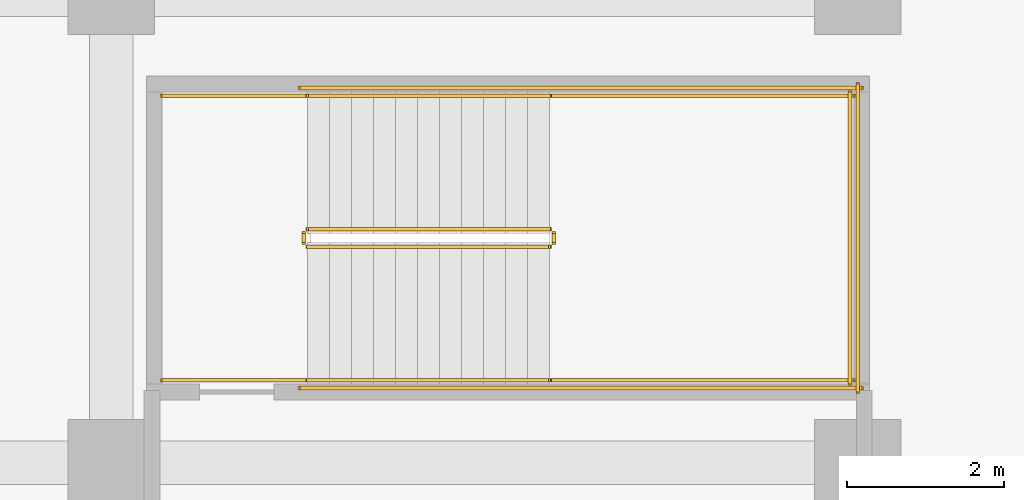
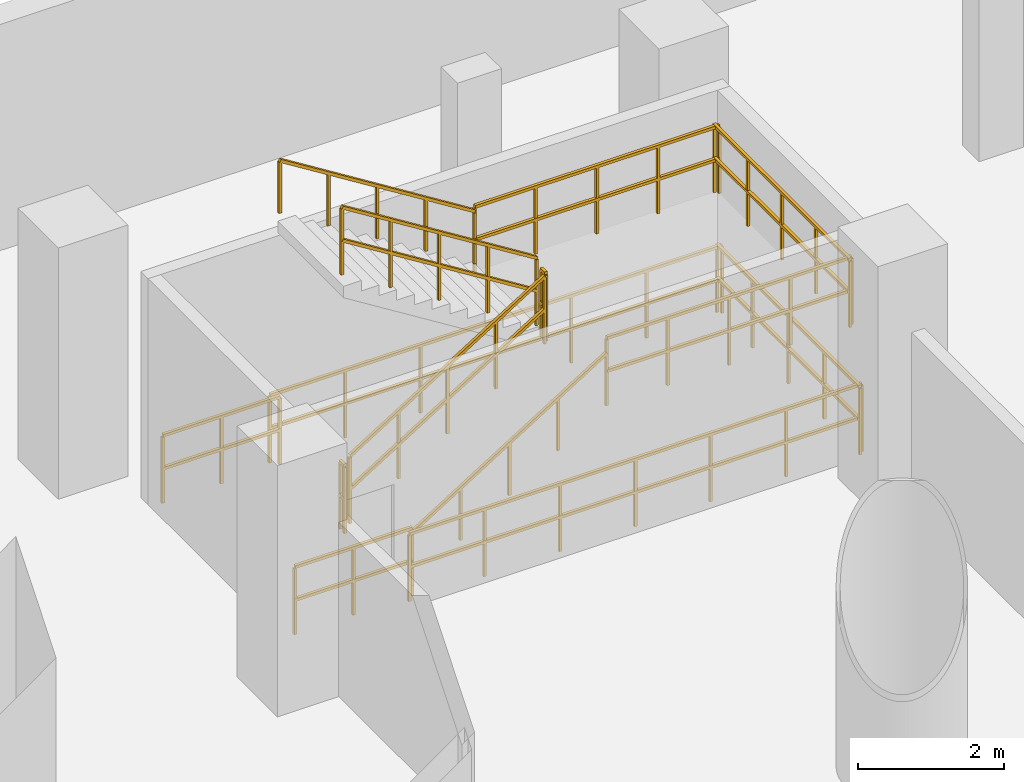
# One storey, part 10 of 11: 14 railings.
"""IFC4 building model written with IfcOpenShell, lengths in metres."""

from ifc_helpers import new_model, si_unit, direction, frame, origin, origin_2d, place, context, subcontext, project, spatial, rectangle, extrude, material, type_object, element, save


model = new_model("IFC4")

# Units and contexts
model_context = context("Model", 3, precision=1e-05, world=origin(), true_north=direction((-0.2419218956, 0.970295726276)))
body_context = subcontext(model_context, "Body", "Model", "MODEL_VIEW")
ifc_project = project(units=[si_unit("LENGTHUNIT", "METRE"), si_unit("AREAUNIT", "SQUARE_METRE"), si_unit("VOLUMEUNIT", "CUBIC_METRE"), si_unit("PLANEANGLEUNIT", "RADIAN"), si_unit("MASSUNIT", "GRAM", prefix="KILO")], contexts=[model_context])

# Site, building, storey
site_placement = place(None, origin())
site = spatial("IfcSite", under=ifc_project, at=site_placement, CompositionType="ELEMENT")
building_placement = place(site_placement, origin())
building = spatial("IfcBuilding", under=site, at=building_placement, Name="Cobrevalo Terracotta Tower", CompositionType="ELEMENT")
storey_placement = place(building_placement, frame((0.0, 0.0, -4.199951171875)))
storey = spatial("IfcBuildingStorey", under=building, at=storey_placement, Name="B01", CompositionType="ELEMENT", Elevation=-4.199951171875)

# Railings
ifc_material_1 = material(Name="Brushed stainless steel", Category="steel")
railing_type_1 = type_object("IfcRailingType", Name="Stainless Steel Stair Handrail 900", PredefinedType="HANDRAIL", material=ifc_material_1)
railing_1_placement = place(storey_placement, frame((11.5, 45.85009765625, 0.175048828125)))
element("IfcRailing", 1, at=railing_1_placement, inside=storey, type_object=railing_type_1, Name="B01 ST-P1 stair handrail 1", PredefinedType="HANDRAIL", context=body_context, shape_type="SweptSolid", body=[
    extrude(rectangle(XDim=0.048095703125, YDim=0.048095703125, at=origin_2d()), frame((0.0, 0.0, 0.8759765625), z_axis=(0.848028513186, 0.0, 0.529950602248), x_axis=(0.0, 1.0, 0.0)), (0.0, 0.0, 1.0), 3.632080078125),
    extrude(rectangle(XDim=0.0419921875, YDim=0.0419921875, at=origin_2d()), origin(), (0.0, 0.0, 1.0), 0.851806640625),
    extrude(rectangle(XDim=0.0419921875, YDim=0.0419921875, at=origin_2d()), frame((0.77001953125, 0.0, 0.481201171875)), (0.0, 0.0, 1.0), 0.851806640625),
    extrude(rectangle(XDim=0.0419921875, YDim=0.0419921875, at=origin_2d()), frame((1.5400390625, 0.0, 0.96240234375)), (0.0, 0.0, 1.0), 0.851806640625),
    extrude(rectangle(XDim=0.0419921875, YDim=0.0419921875, at=origin_2d()), frame((2.31005859375, 0.0, 1.443603515625)), (0.0, 0.0, 1.0), 0.851806640625),
    extrude(rectangle(XDim=0.0419921875, YDim=0.0419921875, at=origin_2d()), frame((3.080078125, 0.0, 1.9248046875)), (0.0, 0.0, 1.0), 0.851806640625),
])
railing_2_placement = place(storey_placement, frame((14.580078125, 49.469970703125, 2.27490234375)))
element("IfcRailing", 2, at=railing_2_placement, inside=storey, type_object=railing_type_1, Name="B01 ST-P1 stair handrail 2", PredefinedType="HANDRAIL", context=body_context, shape_type="SweptSolid", body=[
    extrude(rectangle(XDim=0.048095703125, YDim=0.048095703125, at=origin_2d()), frame((0.0, 0.0, 0.8759765625), z_axis=(-0.847998304005, 0.0, 0.529998940003), x_axis=(0.0, -1.0, 0.0)), (0.0, 0.0, 1.0), 3.632080078125),
    extrude(rectangle(XDim=0.0419921875, YDim=0.0419921875, at=origin_2d()), origin(), (0.0, 0.0, 1.0), 0.851806640625),
    extrude(rectangle(XDim=0.0419921875, YDim=0.0419921875, at=origin_2d()), frame((-0.77001953125, 0.0, 0.481201171875)), (0.0, 0.0, 1.0), 0.851806640625),
    extrude(rectangle(XDim=0.0419921875, YDim=0.0419921875, at=origin_2d()), frame((-1.5400390625, 0.0, 0.96240234375)), (0.0, 0.0, 1.0), 0.851806640625),
    extrude(rectangle(XDim=0.0419921875, YDim=0.0419921875, at=origin_2d()), frame((-2.31005859375, 0.0, 1.44384765625)), (0.0, 0.0, 1.0), 0.851806640625),
    extrude(rectangle(XDim=0.0419921875, YDim=0.0419921875, at=origin_2d()), frame((-3.080078125, 0.0, 1.925048828125)), (0.0, 0.0, 1.0), 0.851806640625),
])
ifc_material_2 = material(Name="Painted galvanized steel", Category="steel")
railing_type_2 = type_object("IfcRailingType", Name="Stair Well Guard Balustrade 1150", PredefinedType="GUARDRAIL", material=ifc_material_2)
railing_3_placement = place(storey_placement, frame((11.5, 47.550048828125, 0.175048828125)))
element("IfcRailing", 3, at=railing_3_placement, inside=storey, type_object=railing_type_2, Name="B01 ST-P1 stair guard 1", PredefinedType="GUARDRAIL", context=body_context, shape_type="SweptSolid", body=[
    extrude(rectangle(XDim=0.048095703125, YDim=0.048095703125, at=origin_2d()), frame((0.0, 0.0, 1.1259765625), z_axis=(0.848028513186, 0.0, 0.529950602248), x_axis=(0.0, 1.0, 0.0)), (0.0, 0.0, 1.0), 3.632080078125),
    extrude(rectangle(XDim=0.048095703125, YDim=0.048095703125, at=origin_2d()), frame((0.0, 0.0, 0.574951171875), z_axis=(0.848028513186, 0.0, 0.529950602248), x_axis=(0.0, 1.0, 0.0)), (0.0, 0.0, 1.0), 3.632080078125),
    extrude(rectangle(XDim=0.0419921875, YDim=0.0419921875, at=origin_2d()), origin(), (0.0, 0.0, 1.0), 1.101806640625),
    extrude(rectangle(XDim=0.0419921875, YDim=0.0419921875, at=origin_2d()), frame((0.77001953125, 0.0, 0.481201171875)), (0.0, 0.0, 1.0), 1.101806640625),
    extrude(rectangle(XDim=0.0419921875, YDim=0.0419921875, at=origin_2d()), frame((1.5400390625, 0.0, 0.96240234375)), (0.0, 0.0, 1.0), 1.101806640625),
    extrude(rectangle(XDim=0.0419921875, YDim=0.0419921875, at=origin_2d()), frame((2.31005859375, 0.0, 1.443603515625)), (0.0, 0.0, 1.0), 1.101806640625),
    extrude(rectangle(XDim=0.0419921875, YDim=0.0419921875, at=origin_2d()), frame((3.080078125, 0.0, 1.9248046875)), (0.0, 0.0, 1.0), 1.101806640625),
])
railing_4_placement = place(storey_placement, frame((14.6298828125, 47.60009765625, 2.099853515625)))
element("IfcRailing", 4, at=railing_4_placement, inside=storey, type_object=railing_type_2, Name="B01 ST-P1 stair guard 2", PredefinedType="GUARDRAIL", context=body_context, shape_type="SweptSolid", body=[
    extrude(rectangle(XDim=0.048095703125, YDim=0.048095703125, at=origin_2d()), frame((0.0, 0.0, 1.1259765625), z_axis=(0.0, 1.0, 0.0), x_axis=(-1.0, 0.0, 0.0)), (0.0, 0.0, 1.0), 0.119873046875),
    extrude(rectangle(XDim=0.048095703125, YDim=0.048095703125, at=origin_2d()), frame((0.0, 0.0, 0.574951171875), z_axis=(0.0, 1.0, 0.0), x_axis=(-1.0, 0.0, 0.0)), (0.0, 0.0, 1.0), 0.119873046875),
    extrude(rectangle(XDim=0.0419921875, YDim=0.0419921875, at=origin_2d()), origin(), (0.0, 0.0, 1.0), 1.101806640625),
    extrude(rectangle(XDim=0.0419921875, YDim=0.0419921875, at=origin_2d()), frame((0.0, 0.119873046875, 0.0)), (0.0, 0.0, 1.0), 1.101806640625),
])
for number, where, name in (
    (5, (14.580078125, 45.85009765625, 2.099853515625), "B01 ST-P1 stair guard 3"),
    (6, (14.580078125, 49.469970703125, 2.099853515625), "B01 ST-P1 stair guard 4"),
):
    element("IfcRailing", number, at=place(storey_placement, frame(where)), inside=storey, type_object=railing_type_2, Name=name, PredefinedType="GUARDRAIL", context=body_context, shape_type="SweptSolid", body=[
        extrude(rectangle(XDim=0.048095703125, YDim=0.048095703125, at=origin_2d()), frame((0.0, 0.0, 1.1259765625), z_axis=(1.0, 0.0, 0.0), x_axis=(0.0, 1.0, 0.0)), (0.0, 0.0, 1.0), 3.869873046875),
        extrude(rectangle(XDim=0.048095703125, YDim=0.048095703125, at=origin_2d()), frame((0.0, 0.0, 0.574951171875), z_axis=(1.0, 0.0, 0.0), x_axis=(0.0, 1.0, 0.0)), (0.0, 0.0, 1.0), 3.869873046875),
        extrude(rectangle(XDim=0.0419921875, YDim=0.0419921875, at=origin_2d()), origin(), (0.0, 0.0, 1.0), 1.101806640625),
        extrude(rectangle(XDim=0.0419921875, YDim=0.0419921875, at=origin_2d()), frame((0.967529296875, 0.0, 0.0)), (0.0, 0.0, 1.0), 1.101806640625),
        extrude(rectangle(XDim=0.0419921875, YDim=0.0419921875, at=origin_2d()), frame((1.93505859375, 0.0, 0.0)), (0.0, 0.0, 1.0), 1.101806640625),
        extrude(rectangle(XDim=0.0419921875, YDim=0.0419921875, at=origin_2d()), frame((2.90234375, 0.0, 0.0)), (0.0, 0.0, 1.0), 1.101806640625),
        extrude(rectangle(XDim=0.0419921875, YDim=0.0419921875, at=origin_2d()), frame((3.869873046875, 0.0, 0.0)), (0.0, 0.0, 1.0), 1.101806640625),
    ])
railing_5_placement = place(storey_placement, frame((18.39990234375, 45.800048828125, 2.099853515625)))
element("IfcRailing", 7, at=railing_5_placement, inside=storey, type_object=railing_type_2, Name="B01 ST-P1 stair guard 5", PredefinedType="GUARDRAIL", context=body_context, shape_type="SweptSolid", body=[
    extrude(rectangle(XDim=0.048095703125, YDim=0.048095703125, at=origin_2d()), frame((0.0, 0.0, 1.1259765625), z_axis=(0.0, 1.0, 0.0), x_axis=(-1.0, 0.0, 0.0)), (0.0, 0.0, 1.0), 3.719970703125),
    extrude(rectangle(XDim=0.048095703125, YDim=0.048095703125, at=origin_2d()), frame((0.0, 0.0, 0.574951171875), z_axis=(0.0, 1.0, 0.0), x_axis=(-1.0, 0.0, 0.0)), (0.0, 0.0, 1.0), 3.719970703125),
    extrude(rectangle(XDim=0.0419921875, YDim=0.0419921875, at=origin_2d()), origin(), (0.0, 0.0, 1.0), 1.101806640625),
    extrude(rectangle(XDim=0.0419921875, YDim=0.0419921875, at=origin_2d()), frame((0.0, 0.929931640625, 0.0)), (0.0, 0.0, 1.0), 1.101806640625),
    extrude(rectangle(XDim=0.0419921875, YDim=0.0419921875, at=origin_2d()), frame((0.0, 1.85986328125, 0.0)), (0.0, 0.0, 1.0), 1.101806640625),
    extrude(rectangle(XDim=0.0419921875, YDim=0.0419921875, at=origin_2d()), frame((0.0, 2.7900390625, 0.0)), (0.0, 0.0, 1.0), 1.101806640625),
    extrude(rectangle(XDim=0.0419921875, YDim=0.0419921875, at=origin_2d()), frame((0.0, 3.719970703125, 0.0)), (0.0, 0.0, 1.0), 1.101806640625),
])
railing_6_placement = place(storey_placement, frame((14.580078125, 47.77001953125, 2.27490234375)))
element("IfcRailing", 8, at=railing_6_placement, inside=storey, type_object=railing_type_2, Name="B01 ST-P1 stair guard 6", PredefinedType="GUARDRAIL", context=body_context, shape_type="SweptSolid", body=[
    extrude(rectangle(XDim=0.048095703125, YDim=0.048095703125, at=origin_2d()), frame((0.0, 0.0, 1.1259765625), z_axis=(-0.847998304005, 0.0, 0.529998940003), x_axis=(0.0, -1.0, 0.0)), (0.0, 0.0, 1.0), 3.632080078125),
    extrude(rectangle(XDim=0.048095703125, YDim=0.048095703125, at=origin_2d()), frame((0.0, 0.0, 0.574951171875), z_axis=(-0.847998304005, 0.0, 0.529998940003), x_axis=(0.0, -1.0, 0.0)), (0.0, 0.0, 1.0), 3.632080078125),
    extrude(rectangle(XDim=0.0419921875, YDim=0.0419921875, at=origin_2d()), origin(), (0.0, 0.0, 1.0), 1.101806640625),
    extrude(rectangle(XDim=0.0419921875, YDim=0.0419921875, at=origin_2d()), frame((-0.77001953125, 0.0, 0.481201171875)), (0.0, 0.0, 1.0), 1.101806640625),
    extrude(rectangle(XDim=0.0419921875, YDim=0.0419921875, at=origin_2d()), frame((-1.5400390625, 0.0, 0.96240234375)), (0.0, 0.0, 1.0), 1.101806640625),
    extrude(rectangle(XDim=0.0419921875, YDim=0.0419921875, at=origin_2d()), frame((-2.31005859375, 0.0, 1.44384765625)), (0.0, 0.0, 1.0), 1.101806640625),
    extrude(rectangle(XDim=0.0419921875, YDim=0.0419921875, at=origin_2d()), frame((-3.080078125, 0.0, 1.925048828125)), (0.0, 0.0, 1.0), 1.101806640625),
])
railing_7_placement = place(storey_placement, frame((11.449951171875, 47.60009765625, 0.0)))
element("IfcRailing", 9, at=railing_7_placement, inside=storey, type_object=railing_type_2, Name="B01 ST-P1 stair guard 7", PredefinedType="GUARDRAIL", context=body_context, shape_type="SweptSolid", body=[
    extrude(rectangle(XDim=0.048095703125, YDim=0.048095703125, at=origin_2d()), frame((0.0, 0.0, 1.1259765625), z_axis=(0.0, 1.0, 0.0), x_axis=(-1.0, 0.0, 0.0)), (0.0, 0.0, 1.0), 0.119873046875),
    extrude(rectangle(XDim=0.048095703125, YDim=0.048095703125, at=origin_2d()), frame((0.0, 0.0, 0.574951171875), z_axis=(0.0, 1.0, 0.0), x_axis=(-1.0, 0.0, 0.0)), (0.0, 0.0, 1.0), 0.119873046875),
    extrude(rectangle(XDim=0.0419921875, YDim=0.0419921875, at=origin_2d()), origin(), (0.0, 0.0, 1.0), 1.101806640625),
    extrude(rectangle(XDim=0.0419921875, YDim=0.0419921875, at=origin_2d()), frame((0.0, 0.119873046875, 0.0)), (0.0, 0.0, 1.0), 1.101806640625),
])
for number, where, name in (
    (10, (9.64990234375, 45.85009765625, 0.0), "B01 ST-P1 stair guard 8"),
    (11, (9.64990234375, 49.469970703125, 0.0), "B01 ST-P1 stair guard 9"),
):
    element("IfcRailing", number, at=place(storey_placement, frame(where)), inside=storey, type_object=railing_type_2, Name=name, PredefinedType="GUARDRAIL", context=body_context, shape_type="SweptSolid", body=[
        extrude(rectangle(XDim=0.048095703125, YDim=0.048095703125, at=origin_2d()), frame((0.0, 0.0, 1.1259765625), z_axis=(1.0, 0.0, 0.0), x_axis=(0.0, 1.0, 0.0)), (0.0, 0.0, 1.0), 1.85009765625),
        extrude(rectangle(XDim=0.048095703125, YDim=0.048095703125, at=origin_2d()), frame((0.0, 0.0, 0.574951171875), z_axis=(1.0, 0.0, 0.0), x_axis=(0.0, 1.0, 0.0)), (0.0, 0.0, 1.0), 1.85009765625),
        extrude(rectangle(XDim=0.0419921875, YDim=0.0419921875, at=origin_2d()), origin(), (0.0, 0.0, 1.0), 1.101806640625),
        extrude(rectangle(XDim=0.0419921875, YDim=0.0419921875, at=origin_2d()), frame((0.925048828125, 0.0, 0.0)), (0.0, 0.0, 1.0), 1.101806640625),
        extrude(rectangle(XDim=0.0419921875, YDim=0.0419921875, at=origin_2d()), frame((1.85009765625, 0.0, 0.0)), (0.0, 0.0, 1.0), 1.101806640625),
    ])
for number, where, name in (
    (12, (11.39990234375, 45.75, 0.0), "B01 ST-P1 stair guard 10"),
    (13, (11.39990234375, 49.570068359375, 0.0), "B01 ST-P1 stair guard 11"),
):
    element("IfcRailing", number, at=place(storey_placement, frame(where)), inside=storey, type_object=railing_type_2, Name=name, PredefinedType="GUARDRAIL", context=body_context, shape_type="SweptSolid", body=[
        extrude(rectangle(XDim=0.048095703125, YDim=0.048095703125, at=origin_2d()), frame((0.0, 0.0, 1.1259765625), z_axis=(1.0, 0.0, 0.0), x_axis=(0.0, 1.0, 0.0)), (0.0, 0.0, 1.0), 7.150146484375),
        extrude(rectangle(XDim=0.048095703125, YDim=0.048095703125, at=origin_2d()), frame((0.0, 0.0, 0.574951171875), z_axis=(1.0, 0.0, 0.0), x_axis=(0.0, 1.0, 0.0)), (0.0, 0.0, 1.0), 7.150146484375),
        extrude(rectangle(XDim=0.0419921875, YDim=0.0419921875, at=origin_2d()), origin(), (0.0, 0.0, 1.0), 1.101806640625),
        extrude(rectangle(XDim=0.0419921875, YDim=0.0419921875, at=origin_2d()), frame((1.191650390625, 0.0, 0.0)), (0.0, 0.0, 1.0), 1.101806640625),
        extrude(rectangle(XDim=0.0419921875, YDim=0.0419921875, at=origin_2d()), frame((2.38330078125, 0.0, 0.0)), (0.0, 0.0, 1.0), 1.101806640625),
        extrude(rectangle(XDim=0.0419921875, YDim=0.0419921875, at=origin_2d()), frame((3.5751953125, 0.0, 0.0)), (0.0, 0.0, 1.0), 1.101806640625),
        extrude(rectangle(XDim=0.0419921875, YDim=0.0419921875, at=origin_2d()), frame((4.766845703125, 0.0, 0.0)), (0.0, 0.0, 1.0), 1.101806640625),
        extrude(rectangle(XDim=0.0419921875, YDim=0.0419921875, at=origin_2d()), frame((5.95849609375, 0.0, 0.0)), (0.0, 0.0, 1.0), 1.101806640625),
        extrude(rectangle(XDim=0.0419921875, YDim=0.0419921875, at=origin_2d()), frame((7.150146484375, 0.0, 0.0)), (0.0, 0.0, 1.0), 1.101806640625),
    ])
railing_8_placement = place(storey_placement, frame((18.5, 45.699951171875, 0.0)))
element("IfcRailing", 14, at=railing_8_placement, inside=storey, type_object=railing_type_2, Name="B01 ST-P1 stair guard 12", PredefinedType="GUARDRAIL", context=body_context, shape_type="SweptSolid", body=[
    extrude(rectangle(XDim=0.048095703125, YDim=0.048095703125, at=origin_2d()), frame((0.0, 0.0, 1.1259765625), z_axis=(0.0, 1.0, 0.0), x_axis=(-1.0, 0.0, 0.0)), (0.0, 0.0, 1.0), 3.920166015625),
    extrude(rectangle(XDim=0.048095703125, YDim=0.048095703125, at=origin_2d()), frame((0.0, 0.0, 0.574951171875), z_axis=(0.0, 1.0, 0.0), x_axis=(-1.0, 0.0, 0.0)), (0.0, 0.0, 1.0), 3.920166015625),
    extrude(rectangle(XDim=0.0419921875, YDim=0.0419921875, at=origin_2d()), origin(), (0.0, 0.0, 1.0), 1.101806640625),
    extrude(rectangle(XDim=0.0419921875, YDim=0.0419921875, at=origin_2d()), frame((0.0, 0.97998046875, 0.0)), (0.0, 0.0, 1.0), 1.101806640625),
    extrude(rectangle(XDim=0.0419921875, YDim=0.0419921875, at=origin_2d()), frame((0.0, 1.9599609375, 0.0)), (0.0, 0.0, 1.0), 1.101806640625),
    extrude(rectangle(XDim=0.0419921875, YDim=0.0419921875, at=origin_2d()), frame((0.0, 2.940185546875, 0.0)), (0.0, 0.0, 1.0), 1.101806640625),
    extrude(rectangle(XDim=0.0419921875, YDim=0.0419921875, at=origin_2d()), frame((0.0, 3.920166015625, 0.0)), (0.0, 0.0, 1.0), 1.101806640625),
])

save(model, "model.ifc")
